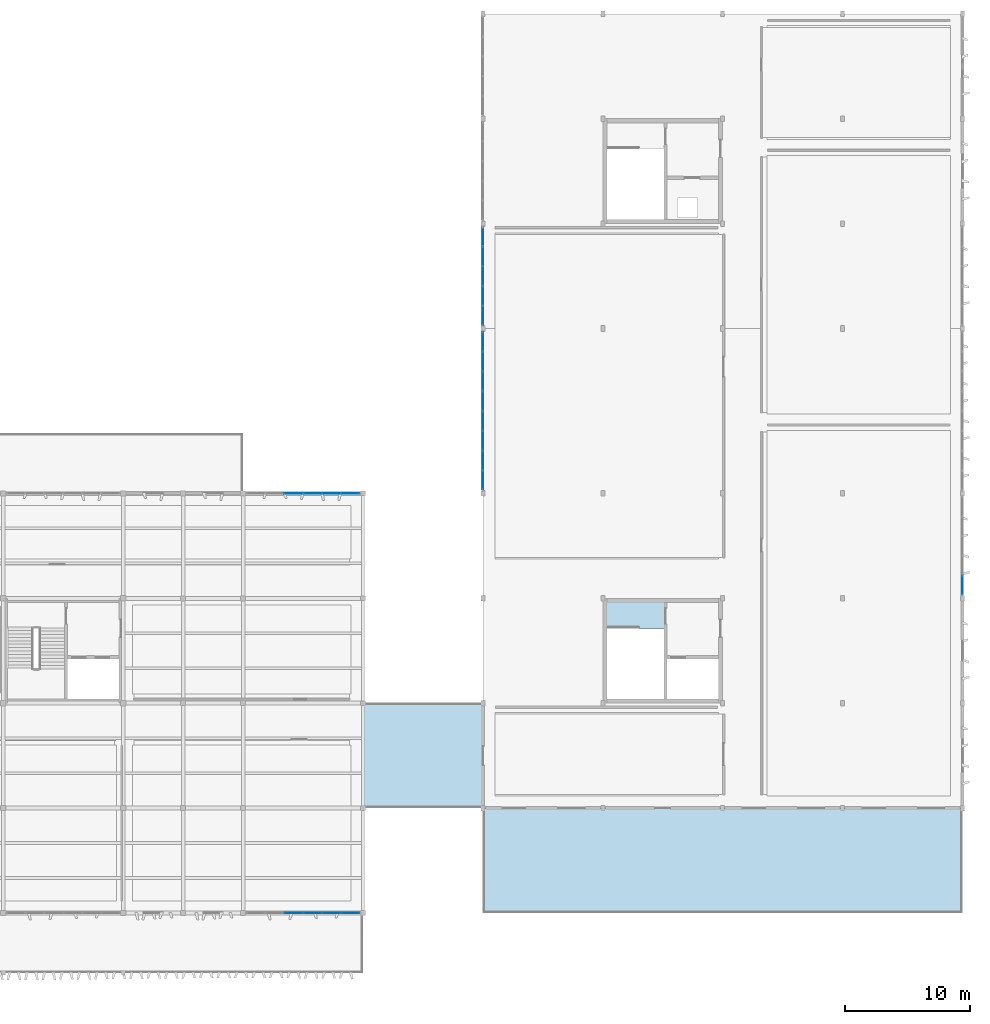
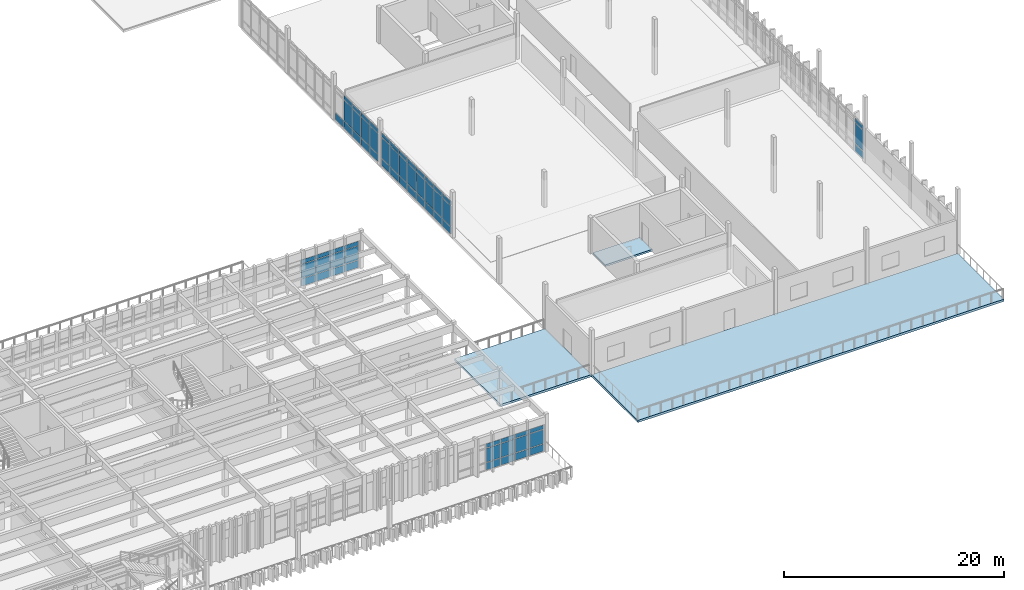
# One storey, part 34 of 61: 64 plates, 3 slabs, 5 elements without a shape of their own.
"""IFC4 building model written with IfcOpenShell, lengths in metres."""

from ifc_helpers import new_model, si_unit, direction, frame, origin, origin_2d, place, context, subcontext, project, spatial, polyline, rectangle, outline, extrude, material, layer, layer_set, type_object, element, aggregate, save


model = new_model("IFC4")

# Units and contexts
model_context = context("Model", 3, precision=1e-05, world=origin(), true_north=direction((0.0, 1.0)))
body_context = subcontext(model_context, "Body", "Model", "MODEL_VIEW")
ifc_project = project(units=[si_unit("LENGTHUNIT", "METRE"), si_unit("AREAUNIT", "SQUARE_METRE"), si_unit("VOLUMEUNIT", "CUBIC_METRE"), si_unit("PLANEANGLEUNIT", "RADIAN"), si_unit("MASSUNIT", "GRAM", prefix="KILO")], contexts=[model_context])

# Site, building, storey
site_placement = place(None, origin())
site = spatial("IfcSite", under=ifc_project, at=site_placement, CompositionType="ELEMENT")
building_placement = place(site_placement, origin())
building = spatial("IfcBuilding", under=site, at=building_placement, Name="Kolvemor Railside Polytechnic", CompositionType="ELEMENT")
storey_placement = place(building_placement, frame((0.0, 0.0, 10.199951171875)))
storey = spatial("IfcBuildingStorey", under=building, at=storey_placement, Name="L02", CompositionType="ELEMENT", Elevation=10.199951171875)

# Curtain wall, plates
ifc_material_1 = material(Name="Anodised marine aluminium and laminated low-E glass", Category="aluminium")
ifc_layer_1 = layer(ifc_material_1, 0.179931640625, Name="CW-UNIT-STD")
ifc_layer_set_1 = layer_set([ifc_layer_1], Name="Anodised marine aluminium and laminated low-E glass")
curtain_wall_type = type_object("IfcCurtainWallType", Name="CW-UNIT-STD", PredefinedType="USERDEFINED", material=ifc_layer_set_1)
curtain_wall_1_placement = place(storey_placement, origin())
curtain_wall_1 = element("IfcCurtainWall", 1, at=curtain_wall_1_placement, inside=storey, type_object=curtain_wall_type, Name="Curtain Wall L02-051", ObjectType="UNITISED CURTAIN WALL", PredefinedType="USERDEFINED")
ifc_material_2 = material(Name="Hurricane-laminated solar-control low-E glass", Category="glass")
ifc_layer_2 = layer(ifc_material_2, 0.0400390625, Name="CWP-GLZ-10")
ifc_layer_set_2 = layer_set([ifc_layer_2], Name="Hurricane-laminated solar-control low-E glass")
plate_type_1 = type_object("IfcPlateType", Name="CWP-GLZ-10", PredefinedType="CURTAIN_PANEL", material=ifc_layer_set_2)
plate_1_placement = place(storey_placement, frame((182.39990234375, 31.05078125, 0.074951171875), z_axis=(0.0, 0.0, 1.0), x_axis=(0.0, 1.0, 0.0)))
plate_1 = element("IfcPlate", 2, at=plate_1_placement, type_object=plate_type_1, Name="CW-STD panel 1.1", PredefinedType="CURTAIN_PANEL", context=body_context, shape_type="SweptSolid", body=[
    extrude(rectangle(XDim=1.471435546875, YDim=0.0400390625, at=origin_2d()), origin(), (0.0, 0.0, 1.0), 0.78759765625),
])
plate_2_placement = place(storey_placement, frame((182.39990234375, 31.05078125, 0.9375), z_axis=(0.0, 0.0, 1.0), x_axis=(0.0, 1.0, 0.0)))
plate_2 = element("IfcPlate", 3, at=plate_2_placement, type_object=plate_type_1, Name="CW-STD panel 1.2", PredefinedType="CURTAIN_PANEL", context=body_context, shape_type="SweptSolid", body=[
    extrude(rectangle(XDim=1.471435546875, YDim=0.0400390625, at=origin_2d()), origin(), (0.0, 0.0, 1.0), 2.27490234375),
])
plate_3_placement = place(storey_placement, frame((182.39990234375, 31.05078125, 3.28759765625), z_axis=(0.0, 0.0, 1.0), x_axis=(0.0, 1.0, 0.0)))
plate_3 = element("IfcPlate", 4, at=plate_3_placement, type_object=plate_type_1, Name="CW-STD panel 1.3", PredefinedType="CURTAIN_PANEL", context=body_context, shape_type="SweptSolid", body=[
    extrude(rectangle(XDim=1.471435546875, YDim=0.0400390625, at=origin_2d()), origin(), (0.0, 0.0, 1.0), 0.4375),
])
aggregate(curtain_wall_1, [plate_1, plate_2, plate_3])

curtain_wall_2_placement = place(storey_placement, origin())
curtain_wall_2 = element("IfcCurtainWall", 5, at=curtain_wall_2_placement, inside=storey, type_object=curtain_wall_type, Name="Curtain Wall L02-064", ObjectType="UNITISED CURTAIN WALL", PredefinedType="USERDEFINED")
ifc_material_3 = material(Name="Hurricane-laminated solar-control low-E glass", Category="glass")
ifc_layer_3 = layer(ifc_material_3, 0.0458984375, Name="CWP-GLZ-13")
ifc_layer_set_3 = layer_set([ifc_layer_3], Name="Hurricane-laminated solar-control low-E glass")
plate_type_2 = type_object("IfcPlateType", Name="CWP-GLZ-13", PredefinedType="CURTAIN_PANEL", material=ifc_layer_set_3)
plate_4_placement = place(storey_placement, frame((144.0, 50.546142578125, 0.074951171875), z_axis=(0.0, 0.0, 1.0), x_axis=(0.0, -1.0, 0.0)))
plate_4 = element("IfcPlate", 6, at=plate_4_placement, type_object=plate_type_2, Name="CW-STD panel 1.1", PredefinedType="CURTAIN_PANEL", context=body_context, shape_type="SweptSolid", body=[
    extrude(rectangle(XDim=1.4775390625, YDim=0.0458984375, at=origin_2d()), origin(), (0.0, 0.0, 1.0), 0.78759765625),
])
plate_5_placement = place(storey_placement, frame((144.0, 50.546142578125, 0.9375), z_axis=(0.0, 0.0, 1.0), x_axis=(0.0, -1.0, 0.0)))
plate_5 = element("IfcPlate", 7, at=plate_5_placement, type_object=plate_type_2, Name="CW-STD panel 1.2", PredefinedType="CURTAIN_PANEL", context=body_context, shape_type="SweptSolid", body=[
    extrude(rectangle(XDim=1.4775390625, YDim=0.0458984375, at=origin_2d()), origin(), (0.0, 0.0, 1.0), 2.27490234375),
])
plate_6_placement = place(storey_placement, frame((144.0, 50.546142578125, 3.28759765625), z_axis=(0.0, 0.0, 1.0), x_axis=(0.0, -1.0, 0.0)))
plate_6 = element("IfcPlate", 8, at=plate_6_placement, type_object=plate_type_2, Name="CW-STD panel 1.3", PredefinedType="CURTAIN_PANEL", context=body_context, shape_type="SweptSolid", body=[
    extrude(rectangle(XDim=1.4775390625, YDim=0.0458984375, at=origin_2d()), origin(), (0.0, 0.0, 1.0), 0.4375),
])
plate_7_placement = place(storey_placement, frame((144.0, 48.97509765625, 0.074951171875), z_axis=(0.0, 0.0, 1.0), x_axis=(0.0, -1.0, 0.0)))
plate_7 = element("IfcPlate", 9, at=plate_7_placement, type_object=plate_type_2, Name="CW-STD panel 2.1", PredefinedType="CURTAIN_PANEL", context=body_context, shape_type="SweptSolid", body=[
    extrude(rectangle(XDim=1.514892578125, YDim=0.0458984375, at=origin_2d()), origin(), (0.0, 0.0, 1.0), 0.78759765625),
])
plate_8_placement = place(storey_placement, frame((144.0, 48.97509765625, 0.9375), z_axis=(0.0, 0.0, 1.0), x_axis=(0.0, -1.0, 0.0)))
plate_8 = element("IfcPlate", 10, at=plate_8_placement, type_object=plate_type_2, Name="CW-STD panel 2.2", PredefinedType="CURTAIN_PANEL", context=body_context, shape_type="SweptSolid", body=[
    extrude(rectangle(XDim=1.514892578125, YDim=0.0458984375, at=origin_2d()), origin(), (0.0, 0.0, 1.0), 2.27490234375),
])
plate_9_placement = place(storey_placement, frame((144.0, 48.97509765625, 3.28759765625), z_axis=(0.0, 0.0, 1.0), x_axis=(0.0, -1.0, 0.0)))
plate_9 = element("IfcPlate", 11, at=plate_9_placement, type_object=plate_type_2, Name="CW-STD panel 2.3", PredefinedType="CURTAIN_PANEL", context=body_context, shape_type="SweptSolid", body=[
    extrude(rectangle(XDim=1.514892578125, YDim=0.0458984375, at=origin_2d()), origin(), (0.0, 0.0, 1.0), 0.4375),
])
plate_10_placement = place(storey_placement, frame((144.0, 47.385009765625, 0.074951171875), z_axis=(0.0, 0.0, 1.0), x_axis=(0.0, -1.0, 0.0)))
plate_10 = element("IfcPlate", 12, at=plate_10_placement, type_object=plate_type_2, Name="CW-STD panel 3.1", PredefinedType="CURTAIN_PANEL", context=body_context, shape_type="SweptSolid", body=[
    extrude(rectangle(XDim=1.514892578125, YDim=0.0458984375, at=origin_2d()), origin(), (0.0, 0.0, 1.0), 0.78759765625),
])
plate_11_placement = place(storey_placement, frame((144.0, 47.385009765625, 0.9375), z_axis=(0.0, 0.0, 1.0), x_axis=(0.0, -1.0, 0.0)))
plate_11 = element("IfcPlate", 13, at=plate_11_placement, type_object=plate_type_2, Name="CW-STD panel 3.2", PredefinedType="CURTAIN_PANEL", context=body_context, shape_type="SweptSolid", body=[
    extrude(rectangle(XDim=1.514892578125, YDim=0.0458984375, at=origin_2d()), origin(), (0.0, 0.0, 1.0), 2.27490234375),
])
plate_12_placement = place(storey_placement, frame((144.0, 47.385009765625, 3.28759765625), z_axis=(0.0, 0.0, 1.0), x_axis=(0.0, -1.0, 0.0)))
plate_12 = element("IfcPlate", 14, at=plate_12_placement, type_object=plate_type_2, Name="CW-STD panel 3.3", PredefinedType="CURTAIN_PANEL", context=body_context, shape_type="SweptSolid", body=[
    extrude(rectangle(XDim=1.514892578125, YDim=0.0458984375, at=origin_2d()), origin(), (0.0, 0.0, 1.0), 0.4375),
])
plate_13_placement = place(storey_placement, frame((144.0, 45.794921875, 0.074951171875), z_axis=(0.0, 0.0, 1.0), x_axis=(0.0, -1.0, 0.0)))
plate_13 = element("IfcPlate", 15, at=plate_13_placement, type_object=plate_type_2, Name="CW-STD panel 4.1", PredefinedType="CURTAIN_PANEL", context=body_context, shape_type="SweptSolid", body=[
    extrude(rectangle(XDim=1.514892578125, YDim=0.0458984375, at=origin_2d()), origin(), (0.0, 0.0, 1.0), 0.78759765625),
])
plate_14_placement = place(storey_placement, frame((144.0, 45.794921875, 0.9375), z_axis=(0.0, 0.0, 1.0), x_axis=(0.0, -1.0, 0.0)))
plate_14 = element("IfcPlate", 16, at=plate_14_placement, type_object=plate_type_2, Name="CW-STD panel 4.2", PredefinedType="CURTAIN_PANEL", context=body_context, shape_type="SweptSolid", body=[
    extrude(rectangle(XDim=1.514892578125, YDim=0.0458984375, at=origin_2d()), origin(), (0.0, 0.0, 1.0), 2.27490234375),
])
plate_15_placement = place(storey_placement, frame((144.0, 45.794921875, 3.28759765625), z_axis=(0.0, 0.0, 1.0), x_axis=(0.0, -1.0, 0.0)))
plate_15 = element("IfcPlate", 17, at=plate_15_placement, type_object=plate_type_2, Name="CW-STD panel 4.3", PredefinedType="CURTAIN_PANEL", context=body_context, shape_type="SweptSolid", body=[
    extrude(rectangle(XDim=1.514892578125, YDim=0.0458984375, at=origin_2d()), origin(), (0.0, 0.0, 1.0), 0.4375),
])
plate_16_placement = place(storey_placement, frame((144.0, 44.205078125, 0.074951171875), z_axis=(0.0, 0.0, 1.0), x_axis=(0.0, -1.0, 0.0)))
plate_16 = element("IfcPlate", 18, at=plate_16_placement, type_object=plate_type_2, Name="CW-STD panel 5.1", PredefinedType="CURTAIN_PANEL", context=body_context, shape_type="SweptSolid", body=[
    extrude(rectangle(XDim=1.514892578125, YDim=0.0458984375, at=origin_2d()), origin(), (0.0, 0.0, 1.0), 0.78759765625),
])
plate_17_placement = place(storey_placement, frame((144.0, 44.205078125, 0.9375), z_axis=(0.0, 0.0, 1.0), x_axis=(0.0, -1.0, 0.0)))
plate_17 = element("IfcPlate", 19, at=plate_17_placement, type_object=plate_type_2, Name="CW-STD panel 5.2", PredefinedType="CURTAIN_PANEL", context=body_context, shape_type="SweptSolid", body=[
    extrude(rectangle(XDim=1.514892578125, YDim=0.0458984375, at=origin_2d()), origin(), (0.0, 0.0, 1.0), 2.27490234375),
])
plate_18_placement = place(storey_placement, frame((144.0, 44.205078125, 3.28759765625), z_axis=(0.0, 0.0, 1.0), x_axis=(0.0, -1.0, 0.0)))
plate_18 = element("IfcPlate", 20, at=plate_18_placement, type_object=plate_type_2, Name="CW-STD panel 5.3", PredefinedType="CURTAIN_PANEL", context=body_context, shape_type="SweptSolid", body=[
    extrude(rectangle(XDim=1.514892578125, YDim=0.0458984375, at=origin_2d()), origin(), (0.0, 0.0, 1.0), 0.4375),
])
plate_19_placement = place(storey_placement, frame((144.0, 42.614990234375, 0.074951171875), z_axis=(0.0, 0.0, 1.0), x_axis=(0.0, -1.0, 0.0)))
plate_19 = element("IfcPlate", 21, at=plate_19_placement, type_object=plate_type_2, Name="CW-STD panel 6.1", PredefinedType="CURTAIN_PANEL", context=body_context, shape_type="SweptSolid", body=[
    extrude(rectangle(XDim=1.514892578125, YDim=0.0458984375, at=origin_2d()), origin(), (0.0, 0.0, 1.0), 0.78759765625),
])
plate_20_placement = place(storey_placement, frame((144.0, 42.614990234375, 0.9375), z_axis=(0.0, 0.0, 1.0), x_axis=(0.0, -1.0, 0.0)))
plate_20 = element("IfcPlate", 22, at=plate_20_placement, type_object=plate_type_2, Name="CW-STD panel 6.2", PredefinedType="CURTAIN_PANEL", context=body_context, shape_type="SweptSolid", body=[
    extrude(rectangle(XDim=1.514892578125, YDim=0.0458984375, at=origin_2d()), origin(), (0.0, 0.0, 1.0), 2.27490234375),
])
plate_21_placement = place(storey_placement, frame((144.0, 42.614990234375, 3.28759765625), z_axis=(0.0, 0.0, 1.0), x_axis=(0.0, -1.0, 0.0)))
plate_21 = element("IfcPlate", 23, at=plate_21_placement, type_object=plate_type_2, Name="CW-STD panel 6.3", PredefinedType="CURTAIN_PANEL", context=body_context, shape_type="SweptSolid", body=[
    extrude(rectangle(XDim=1.514892578125, YDim=0.0458984375, at=origin_2d()), origin(), (0.0, 0.0, 1.0), 0.4375),
])
plate_22_placement = place(storey_placement, frame((144.0, 41.02490234375, 0.074951171875), z_axis=(0.0, 0.0, 1.0), x_axis=(0.0, -1.0, 0.0)))
plate_22 = element("IfcPlate", 24, at=plate_22_placement, type_object=plate_type_2, Name="CW-STD panel 7.1", PredefinedType="CURTAIN_PANEL", context=body_context, shape_type="SweptSolid", body=[
    extrude(rectangle(XDim=1.514892578125, YDim=0.0458984375, at=origin_2d()), origin(), (0.0, 0.0, 1.0), 0.78759765625),
])
plate_23_placement = place(storey_placement, frame((144.0, 41.02490234375, 0.9375), z_axis=(0.0, 0.0, 1.0), x_axis=(0.0, -1.0, 0.0)))
plate_23 = element("IfcPlate", 25, at=plate_23_placement, type_object=plate_type_2, Name="CW-STD panel 7.2", PredefinedType="CURTAIN_PANEL", context=body_context, shape_type="SweptSolid", body=[
    extrude(rectangle(XDim=1.514892578125, YDim=0.0458984375, at=origin_2d()), origin(), (0.0, 0.0, 1.0), 2.27490234375),
])
plate_24_placement = place(storey_placement, frame((144.0, 41.02490234375, 3.28759765625), z_axis=(0.0, 0.0, 1.0), x_axis=(0.0, -1.0, 0.0)))
plate_24 = element("IfcPlate", 26, at=plate_24_placement, type_object=plate_type_2, Name="CW-STD panel 7.3", PredefinedType="CURTAIN_PANEL", context=body_context, shape_type="SweptSolid", body=[
    extrude(rectangle(XDim=1.514892578125, YDim=0.0458984375, at=origin_2d()), origin(), (0.0, 0.0, 1.0), 0.4375),
])
plate_25_placement = place(storey_placement, frame((144.0, 39.453857421875, 0.074951171875), z_axis=(0.0, 0.0, 1.0), x_axis=(0.0, -1.0, 0.0)))
plate_25 = element("IfcPlate", 27, at=plate_25_placement, type_object=plate_type_2, Name="CW-STD panel 8.1", PredefinedType="CURTAIN_PANEL", context=body_context, shape_type="SweptSolid", body=[
    extrude(rectangle(XDim=1.4775390625, YDim=0.0458984375, at=origin_2d()), origin(), (0.0, 0.0, 1.0), 0.78759765625),
])
plate_26_placement = place(storey_placement, frame((144.0, 39.453857421875, 0.9375), z_axis=(0.0, 0.0, 1.0), x_axis=(0.0, -1.0, 0.0)))
plate_26 = element("IfcPlate", 28, at=plate_26_placement, type_object=plate_type_2, Name="CW-STD panel 8.2", PredefinedType="CURTAIN_PANEL", context=body_context, shape_type="SweptSolid", body=[
    extrude(rectangle(XDim=1.4775390625, YDim=0.0458984375, at=origin_2d()), origin(), (0.0, 0.0, 1.0), 2.27490234375),
])
plate_27_placement = place(storey_placement, frame((144.0, 39.453857421875, 3.28759765625), z_axis=(0.0, 0.0, 1.0), x_axis=(0.0, -1.0, 0.0)))
plate_27 = element("IfcPlate", 29, at=plate_27_placement, type_object=plate_type_2, Name="CW-STD panel 8.3", PredefinedType="CURTAIN_PANEL", context=body_context, shape_type="SweptSolid", body=[
    extrude(rectangle(XDim=1.4775390625, YDim=0.0458984375, at=origin_2d()), origin(), (0.0, 0.0, 1.0), 0.4375),
])
aggregate(curtain_wall_2, [plate_4, plate_5, plate_6, plate_7, plate_8, plate_9, plate_10, plate_11, plate_12, plate_13, plate_14, plate_15, plate_16, plate_17, plate_18, plate_19, plate_20, plate_21, plate_22, plate_23, plate_24, plate_25, plate_26, plate_27])

curtain_wall_3_placement = place(storey_placement, origin())
curtain_wall_3 = element("IfcCurtainWall", 30, at=curtain_wall_3_placement, inside=storey, type_object=curtain_wall_type, Name="Curtain Wall L02-100", ObjectType="UNITISED CURTAIN WALL", PredefinedType="USERDEFINED")
plate_28_placement = place(storey_placement, frame((128.840087890625, 4.800048828125, 0.074951171875), z_axis=(0.0, 0.0, 1.0), x_axis=(1.0, 0.0, 0.0)))
plate_28 = element("IfcPlate", 31, at=plate_28_placement, type_object=plate_type_2, Name="CW-STD panel 3.1", PredefinedType="CURTAIN_PANEL", context=body_context, shape_type="SweptSolid", body=[
    extrude(rectangle(XDim=1.445068359375, YDim=0.0458984375, at=origin_2d()), origin(), (0.0, 0.0, 1.0), 0.78759765625),
])
plate_29_placement = place(storey_placement, frame((128.840087890625, 4.800048828125, 0.9375), z_axis=(0.0, 0.0, 1.0), x_axis=(1.0, 0.0, 0.0)))
plate_29 = element("IfcPlate", 32, at=plate_29_placement, type_object=plate_type_2, Name="CW-STD panel 3.2", PredefinedType="CURTAIN_PANEL", context=body_context, shape_type="SweptSolid", body=[
    extrude(rectangle(XDim=1.445068359375, YDim=0.0458984375, at=origin_2d()), origin(), (0.0, 0.0, 1.0), 1.52490234375),
])
plate_30_placement = place(storey_placement, frame((128.840087890625, 4.800048828125, 2.53759765625), z_axis=(0.0, 0.0, 1.0), x_axis=(1.0, 0.0, 0.0)))
plate_30 = element("IfcPlate", 33, at=plate_30_placement, type_object=plate_type_2, Name="CW-STD panel 3.3", PredefinedType="CURTAIN_PANEL", context=body_context, shape_type="SweptSolid", body=[
    extrude(rectangle(XDim=1.445068359375, YDim=0.0458984375, at=origin_2d()), origin(), (0.0, 0.0, 1.0), 0.4375),
])
plate_31_placement = place(storey_placement, frame((130.360107421875, 4.800048828125, 0.074951171875), z_axis=(0.0, 0.0, 1.0), x_axis=(1.0, 0.0, 0.0)))
plate_31 = element("IfcPlate", 34, at=plate_31_placement, type_object=plate_type_2, Name="CW-STD panel 4.1", PredefinedType="CURTAIN_PANEL", context=body_context, shape_type="SweptSolid", body=[
    extrude(rectangle(XDim=1.445068359375, YDim=0.0458984375, at=origin_2d()), origin(), (0.0, 0.0, 1.0), 0.78759765625),
])
plate_32_placement = place(storey_placement, frame((130.360107421875, 4.800048828125, 0.9375), z_axis=(0.0, 0.0, 1.0), x_axis=(1.0, 0.0, 0.0)))
plate_32 = element("IfcPlate", 35, at=plate_32_placement, type_object=plate_type_2, Name="CW-STD panel 4.2", PredefinedType="CURTAIN_PANEL", context=body_context, shape_type="SweptSolid", body=[
    extrude(rectangle(XDim=1.445068359375, YDim=0.0458984375, at=origin_2d()), origin(), (0.0, 0.0, 1.0), 1.52490234375),
])
plate_33_placement = place(storey_placement, frame((130.360107421875, 4.800048828125, 2.53759765625), z_axis=(0.0, 0.0, 1.0), x_axis=(1.0, 0.0, 0.0)))
plate_33 = element("IfcPlate", 36, at=plate_33_placement, type_object=plate_type_2, Name="CW-STD panel 4.3", PredefinedType="CURTAIN_PANEL", context=body_context, shape_type="SweptSolid", body=[
    extrude(rectangle(XDim=1.445068359375, YDim=0.0458984375, at=origin_2d()), origin(), (0.0, 0.0, 1.0), 0.4375),
])
plate_34_placement = place(storey_placement, frame((131.8798828125, 4.800048828125, 0.074951171875), z_axis=(0.0, 0.0, 1.0), x_axis=(1.0, 0.0, 0.0)))
plate_34 = element("IfcPlate", 37, at=plate_34_placement, type_object=plate_type_2, Name="CW-STD panel 5.1", PredefinedType="CURTAIN_PANEL", context=body_context, shape_type="SweptSolid", body=[
    extrude(rectangle(XDim=1.445068359375, YDim=0.0458984375, at=origin_2d()), origin(), (0.0, 0.0, 1.0), 0.78759765625),
])
plate_35_placement = place(storey_placement, frame((131.8798828125, 4.800048828125, 0.9375), z_axis=(0.0, 0.0, 1.0), x_axis=(1.0, 0.0, 0.0)))
plate_35 = element("IfcPlate", 38, at=plate_35_placement, type_object=plate_type_2, Name="CW-STD panel 5.2", PredefinedType="CURTAIN_PANEL", context=body_context, shape_type="SweptSolid", body=[
    extrude(rectangle(XDim=1.445068359375, YDim=0.0458984375, at=origin_2d()), origin(), (0.0, 0.0, 1.0), 1.52490234375),
])
plate_36_placement = place(storey_placement, frame((131.8798828125, 4.800048828125, 2.53759765625), z_axis=(0.0, 0.0, 1.0), x_axis=(1.0, 0.0, 0.0)))
plate_36 = element("IfcPlate", 39, at=plate_36_placement, type_object=plate_type_2, Name="CW-STD panel 5.3", PredefinedType="CURTAIN_PANEL", context=body_context, shape_type="SweptSolid", body=[
    extrude(rectangle(XDim=1.445068359375, YDim=0.0458984375, at=origin_2d()), origin(), (0.0, 0.0, 1.0), 0.4375),
])
plate_37_placement = place(storey_placement, frame((133.38134765625, 4.800048828125, 0.074951171875), z_axis=(0.0, 0.0, 1.0), x_axis=(1.0, 0.0, 0.0)))
plate_37 = element("IfcPlate", 40, at=plate_37_placement, type_object=plate_type_2, Name="CW-STD panel 6.1", PredefinedType="CURTAIN_PANEL", context=body_context, shape_type="SweptSolid", body=[
    extrude(rectangle(XDim=1.407470703125, YDim=0.0458984375, at=origin_2d()), origin(), (0.0, 0.0, 1.0), 0.78759765625),
])
plate_38_placement = place(storey_placement, frame((133.38134765625, 4.800048828125, 0.9375), z_axis=(0.0, 0.0, 1.0), x_axis=(1.0, 0.0, 0.0)))
plate_38 = element("IfcPlate", 41, at=plate_38_placement, type_object=plate_type_2, Name="CW-STD panel 6.2", PredefinedType="CURTAIN_PANEL", context=body_context, shape_type="SweptSolid", body=[
    extrude(rectangle(XDim=1.407470703125, YDim=0.0458984375, at=origin_2d()), origin(), (0.0, 0.0, 1.0), 1.52490234375),
])
plate_39_placement = place(storey_placement, frame((133.38134765625, 4.800048828125, 2.53759765625), z_axis=(0.0, 0.0, 1.0), x_axis=(1.0, 0.0, 0.0)))
plate_39 = element("IfcPlate", 42, at=plate_39_placement, type_object=plate_type_2, Name="CW-STD panel 6.3", PredefinedType="CURTAIN_PANEL", context=body_context, shape_type="SweptSolid", body=[
    extrude(rectangle(XDim=1.407470703125, YDim=0.0458984375, at=origin_2d()), origin(), (0.0, 0.0, 1.0), 0.4375),
])
aggregate(curtain_wall_3, [plate_28, plate_29, plate_30, plate_31, plate_32, plate_33, plate_34, plate_35, plate_36, plate_37, plate_38, plate_39])

curtain_wall_4_placement = place(storey_placement, origin())
curtain_wall_4 = element("IfcCurtainWall", 43, at=curtain_wall_4_placement, inside=storey, type_object=curtain_wall_type, Name="Curtain Wall L02-074", ObjectType="UNITISED CURTAIN WALL", PredefinedType="USERDEFINED")
ifc_material_4 = material(Name="Hurricane-laminated solar-control low-E glass", Category="glass")
ifc_layer_4 = layer(ifc_material_4, 0.048095703125, Name="CWP-GLZ-14")
ifc_layer_set_4 = layer_set([ifc_layer_4], Name="Hurricane-laminated solar-control low-E glass")
plate_type_3 = type_object("IfcPlateType", Name="CWP-GLZ-14", PredefinedType="CURTAIN_PANEL", material=ifc_layer_set_4)
plate_40_placement = place(storey_placement, frame((144.0, 58.94921875, 0.074951171875), z_axis=(0.0, 0.0, 1.0), x_axis=(0.0, -1.0, 0.0)))
plate_40 = element("IfcPlate", 44, at=plate_40_placement, type_object=plate_type_3, Name="CW-STD panel 1.1", PredefinedType="CURTAIN_PANEL", context=body_context, shape_type="SweptSolid", body=[
    extrude(rectangle(XDim=1.471435546875, YDim=0.048095703125, at=origin_2d()), origin(), (0.0, 0.0, 1.0), 0.78759765625),
])
plate_41_placement = place(storey_placement, frame((144.0, 57.384033203125, 0.074951171875), z_axis=(0.0, 0.0, 1.0), x_axis=(0.0, -1.0, 0.0)))
plate_41 = element("IfcPlate", 45, at=plate_41_placement, type_object=plate_type_3, Name="CW-STD panel 2.1", PredefinedType="CURTAIN_PANEL", context=body_context, shape_type="SweptSolid", body=[
    extrude(rectangle(XDim=1.509033203125, YDim=0.048095703125, at=origin_2d()), origin(), (0.0, 0.0, 1.0), 0.78759765625),
])
plate_42_placement = place(storey_placement, frame((144.0, 57.384033203125, 0.9375), z_axis=(0.0, 0.0, 1.0), x_axis=(0.0, -1.0, 0.0)))
plate_42 = element("IfcPlate", 46, at=plate_42_placement, type_object=plate_type_3, Name="CW-STD panel 2.2", PredefinedType="CURTAIN_PANEL", context=body_context, shape_type="SweptSolid", body=[
    extrude(rectangle(XDim=1.509033203125, YDim=0.048095703125, at=origin_2d()), origin(), (0.0, 0.0, 1.0), 2.27490234375),
])
plate_43_placement = place(storey_placement, frame((144.0, 57.384033203125, 3.28759765625), z_axis=(0.0, 0.0, 1.0), x_axis=(0.0, -1.0, 0.0)))
plate_43 = element("IfcPlate", 47, at=plate_43_placement, type_object=plate_type_3, Name="CW-STD panel 2.3", PredefinedType="CURTAIN_PANEL", context=body_context, shape_type="SweptSolid", body=[
    extrude(rectangle(XDim=1.509033203125, YDim=0.048095703125, at=origin_2d()), origin(), (0.0, 0.0, 1.0), 0.4375),
])
plate_44_placement = place(storey_placement, frame((144.0, 55.800048828125, 0.074951171875), z_axis=(0.0, 0.0, 1.0), x_axis=(0.0, -1.0, 0.0)))
plate_44 = element("IfcPlate", 48, at=plate_44_placement, type_object=plate_type_3, Name="CW-STD panel 3.1", PredefinedType="CURTAIN_PANEL", context=body_context, shape_type="SweptSolid", body=[
    extrude(rectangle(XDim=1.509033203125, YDim=0.048095703125, at=origin_2d()), origin(), (0.0, 0.0, 1.0), 0.78759765625),
])
plate_45_placement = place(storey_placement, frame((144.0, 55.800048828125, 0.9375), z_axis=(0.0, 0.0, 1.0), x_axis=(0.0, -1.0, 0.0)))
plate_45 = element("IfcPlate", 49, at=plate_45_placement, type_object=plate_type_3, Name="CW-STD panel 3.2", PredefinedType="CURTAIN_PANEL", context=body_context, shape_type="SweptSolid", body=[
    extrude(rectangle(XDim=1.509033203125, YDim=0.048095703125, at=origin_2d()), origin(), (0.0, 0.0, 1.0), 2.27490234375),
])
plate_46_placement = place(storey_placement, frame((144.0, 55.800048828125, 3.28759765625), z_axis=(0.0, 0.0, 1.0), x_axis=(0.0, -1.0, 0.0)))
plate_46 = element("IfcPlate", 50, at=plate_46_placement, type_object=plate_type_3, Name="CW-STD panel 3.3", PredefinedType="CURTAIN_PANEL", context=body_context, shape_type="SweptSolid", body=[
    extrude(rectangle(XDim=1.509033203125, YDim=0.048095703125, at=origin_2d()), origin(), (0.0, 0.0, 1.0), 0.4375),
])
plate_47_placement = place(storey_placement, frame((144.0, 54.216064453125, 0.074951171875), z_axis=(0.0, 0.0, 1.0), x_axis=(0.0, -1.0, 0.0)))
plate_47 = element("IfcPlate", 51, at=plate_47_placement, type_object=plate_type_3, Name="CW-STD panel 4.1", PredefinedType="CURTAIN_PANEL", context=body_context, shape_type="SweptSolid", body=[
    extrude(rectangle(XDim=1.509033203125, YDim=0.048095703125, at=origin_2d()), origin(), (0.0, 0.0, 1.0), 0.78759765625),
])
plate_48_placement = place(storey_placement, frame((144.0, 54.216064453125, 0.9375), z_axis=(0.0, 0.0, 1.0), x_axis=(0.0, -1.0, 0.0)))
plate_48 = element("IfcPlate", 52, at=plate_48_placement, type_object=plate_type_3, Name="CW-STD panel 4.2", PredefinedType="CURTAIN_PANEL", context=body_context, shape_type="SweptSolid", body=[
    extrude(rectangle(XDim=1.509033203125, YDim=0.048095703125, at=origin_2d()), origin(), (0.0, 0.0, 1.0), 2.27490234375),
])
plate_49_placement = place(storey_placement, frame((144.0, 54.216064453125, 3.28759765625), z_axis=(0.0, 0.0, 1.0), x_axis=(0.0, -1.0, 0.0)))
plate_49 = element("IfcPlate", 53, at=plate_49_placement, type_object=plate_type_3, Name="CW-STD panel 4.3", PredefinedType="CURTAIN_PANEL", context=body_context, shape_type="SweptSolid", body=[
    extrude(rectangle(XDim=1.509033203125, YDim=0.048095703125, at=origin_2d()), origin(), (0.0, 0.0, 1.0), 0.4375),
])
plate_50_placement = place(storey_placement, frame((144.0, 52.650634765625, 0.074951171875), z_axis=(0.0, 0.0, 1.0), x_axis=(0.0, -1.0, 0.0)))
plate_50 = element("IfcPlate", 54, at=plate_50_placement, type_object=plate_type_3, Name="CW-STD panel 5.1", PredefinedType="CURTAIN_PANEL", context=body_context, shape_type="SweptSolid", body=[
    extrude(rectangle(XDim=1.471435546875, YDim=0.048095703125, at=origin_2d()), origin(), (0.0, 0.0, 1.0), 0.78759765625),
])
plate_51_placement = place(storey_placement, frame((144.0, 52.650634765625, 0.9375), z_axis=(0.0, 0.0, 1.0), x_axis=(0.0, -1.0, 0.0)))
plate_51 = element("IfcPlate", 55, at=plate_51_placement, type_object=plate_type_3, Name="CW-STD panel 5.2", PredefinedType="CURTAIN_PANEL", context=body_context, shape_type="SweptSolid", body=[
    extrude(rectangle(XDim=1.471435546875, YDim=0.048095703125, at=origin_2d()), origin(), (0.0, 0.0, 1.0), 2.27490234375),
])
plate_52_placement = place(storey_placement, frame((144.0, 52.650634765625, 3.28759765625), z_axis=(0.0, 0.0, 1.0), x_axis=(0.0, -1.0, 0.0)))
plate_52 = element("IfcPlate", 56, at=plate_52_placement, type_object=plate_type_3, Name="CW-STD panel 5.3", PredefinedType="CURTAIN_PANEL", context=body_context, shape_type="SweptSolid", body=[
    extrude(rectangle(XDim=1.471435546875, YDim=0.048095703125, at=origin_2d()), origin(), (0.0, 0.0, 1.0), 0.4375),
])
aggregate(curtain_wall_4, [plate_40, plate_41, plate_42, plate_43, plate_44, plate_45, plate_46, plate_47, plate_48, plate_49, plate_50, plate_51, plate_52])

curtain_wall_5_placement = place(storey_placement, origin())
curtain_wall_5 = element("IfcCurtainWall", 57, at=curtain_wall_5_placement, inside=storey, type_object=curtain_wall_type, Name="Curtain Wall L02-125", ObjectType="UNITISED CURTAIN WALL", PredefinedType="USERDEFINED")
plate_53_placement = place(storey_placement, frame((133.3837890625, 38.39990234375, 0.06494140625), z_axis=(0.0, 0.0, 1.0), x_axis=(-1.0, 0.0, 0.0)))
plate_53 = element("IfcPlate", 58, at=plate_53_placement, type_object=plate_type_3, Name="CW-STD panel 1.1", PredefinedType="CURTAIN_PANEL", context=body_context, shape_type="SweptSolid", body=[
    extrude(rectangle(XDim=1.422607421875, YDim=0.048095703125, at=origin_2d()), origin(), (0.0, 0.0, 1.0), 0.802490234375),
])
plate_54_placement = place(storey_placement, frame((133.3837890625, 38.39990234375, 0.9326171875), z_axis=(0.0, 0.0, 1.0), x_axis=(-1.0, 0.0, 0.0)))
plate_54 = element("IfcPlate", 59, at=plate_54_placement, type_object=plate_type_3, Name="CW-STD panel 1.2", PredefinedType="CURTAIN_PANEL", context=body_context, shape_type="SweptSolid", body=[
    extrude(rectangle(XDim=1.422607421875, YDim=0.048095703125, at=origin_2d()), origin(), (0.0, 0.0, 1.0), 1.534912109375),
])
plate_55_placement = place(storey_placement, frame((133.3837890625, 38.39990234375, 2.53271484375), z_axis=(0.0, 0.0, 1.0), x_axis=(-1.0, 0.0, 0.0)))
plate_55 = element("IfcPlate", 60, at=plate_55_placement, type_object=plate_type_3, Name="CW-STD panel 1.3", PredefinedType="CURTAIN_PANEL", context=body_context, shape_type="SweptSolid", body=[
    extrude(rectangle(XDim=1.422607421875, YDim=0.048095703125, at=origin_2d()), origin(), (0.0, 0.0, 1.0), 0.452392578125),
])
plate_56_placement = place(storey_placement, frame((131.8798828125, 38.39990234375, 0.06494140625), z_axis=(0.0, 0.0, 1.0), x_axis=(-1.0, 0.0, 0.0)))
plate_56 = element("IfcPlate", 61, at=plate_56_placement, type_object=plate_type_3, Name="CW-STD panel 2.1", PredefinedType="CURTAIN_PANEL", context=body_context, shape_type="SweptSolid", body=[
    extrude(rectangle(XDim=1.455078125, YDim=0.048095703125, at=origin_2d()), origin(), (0.0, 0.0, 1.0), 0.802490234375),
])
plate_57_placement = place(storey_placement, frame((131.8798828125, 38.39990234375, 0.9326171875), z_axis=(0.0, 0.0, 1.0), x_axis=(-1.0, 0.0, 0.0)))
plate_57 = element("IfcPlate", 62, at=plate_57_placement, type_object=plate_type_3, Name="CW-STD panel 2.2", PredefinedType="CURTAIN_PANEL", context=body_context, shape_type="SweptSolid", body=[
    extrude(rectangle(XDim=1.455078125, YDim=0.048095703125, at=origin_2d()), origin(), (0.0, 0.0, 1.0), 1.534912109375),
])
plate_58_placement = place(storey_placement, frame((131.8798828125, 38.39990234375, 2.53271484375), z_axis=(0.0, 0.0, 1.0), x_axis=(-1.0, 0.0, 0.0)))
plate_58 = element("IfcPlate", 63, at=plate_58_placement, type_object=plate_type_3, Name="CW-STD panel 2.3", PredefinedType="CURTAIN_PANEL", context=body_context, shape_type="SweptSolid", body=[
    extrude(rectangle(XDim=1.455078125, YDim=0.048095703125, at=origin_2d()), origin(), (0.0, 0.0, 1.0), 0.452392578125),
])
plate_59_placement = place(storey_placement, frame((130.360107421875, 38.39990234375, 0.06494140625), z_axis=(0.0, 0.0, 1.0), x_axis=(-1.0, 0.0, 0.0)))
plate_59 = element("IfcPlate", 64, at=plate_59_placement, type_object=plate_type_3, Name="CW-STD panel 3.1", PredefinedType="CURTAIN_PANEL", context=body_context, shape_type="SweptSolid", body=[
    extrude(rectangle(XDim=1.455078125, YDim=0.048095703125, at=origin_2d()), origin(), (0.0, 0.0, 1.0), 0.802490234375),
])
plate_60_placement = place(storey_placement, frame((130.360107421875, 38.39990234375, 0.9326171875), z_axis=(0.0, 0.0, 1.0), x_axis=(-1.0, 0.0, 0.0)))
plate_60 = element("IfcPlate", 65, at=plate_60_placement, type_object=plate_type_3, Name="CW-STD panel 3.2", PredefinedType="CURTAIN_PANEL", context=body_context, shape_type="SweptSolid", body=[
    extrude(rectangle(XDim=1.455078125, YDim=0.048095703125, at=origin_2d()), origin(), (0.0, 0.0, 1.0), 1.534912109375),
])
plate_61_placement = place(storey_placement, frame((130.360107421875, 38.39990234375, 2.53271484375), z_axis=(0.0, 0.0, 1.0), x_axis=(-1.0, 0.0, 0.0)))
plate_61 = element("IfcPlate", 66, at=plate_61_placement, type_object=plate_type_3, Name="CW-STD panel 3.3", PredefinedType="CURTAIN_PANEL", context=body_context, shape_type="SweptSolid", body=[
    extrude(rectangle(XDim=1.455078125, YDim=0.048095703125, at=origin_2d()), origin(), (0.0, 0.0, 1.0), 0.452392578125),
])
plate_62_placement = place(storey_placement, frame((128.840087890625, 38.39990234375, 0.06494140625), z_axis=(0.0, 0.0, 1.0), x_axis=(-1.0, 0.0, 0.0)))
plate_62 = element("IfcPlate", 67, at=plate_62_placement, type_object=plate_type_3, Name="CW-STD panel 4.1", PredefinedType="CURTAIN_PANEL", context=body_context, shape_type="SweptSolid", body=[
    extrude(rectangle(XDim=1.455078125, YDim=0.048095703125, at=origin_2d()), origin(), (0.0, 0.0, 1.0), 0.802490234375),
])
plate_63_placement = place(storey_placement, frame((128.840087890625, 38.39990234375, 0.9326171875), z_axis=(0.0, 0.0, 1.0), x_axis=(-1.0, 0.0, 0.0)))
plate_63 = element("IfcPlate", 68, at=plate_63_placement, type_object=plate_type_3, Name="CW-STD panel 4.2", PredefinedType="CURTAIN_PANEL", context=body_context, shape_type="SweptSolid", body=[
    extrude(rectangle(XDim=1.455078125, YDim=0.048095703125, at=origin_2d()), origin(), (0.0, 0.0, 1.0), 1.534912109375),
])
plate_64_placement = place(storey_placement, frame((128.840087890625, 38.39990234375, 2.53271484375), z_axis=(0.0, 0.0, 1.0), x_axis=(-1.0, 0.0, 0.0)))
plate_64 = element("IfcPlate", 69, at=plate_64_placement, type_object=plate_type_3, Name="CW-STD panel 4.3", PredefinedType="CURTAIN_PANEL", context=body_context, shape_type="SweptSolid", body=[
    extrude(rectangle(XDim=1.455078125, YDim=0.048095703125, at=origin_2d()), origin(), (0.0, 0.0, 1.0), 0.452392578125),
])
aggregate(curtain_wall_5, [plate_53, plate_54, plate_55, plate_56, plate_57, plate_58, plate_59, plate_60, plate_61, plate_62, plate_63, plate_64])

# Slabs
ifc_material_5 = material(Name="Concrete C40/50", Category="concrete")
ifc_layer_5 = layer(ifc_material_5, 0.199951171875, Name="SLB-LND-200")
ifc_layer_set_5 = layer_set([ifc_layer_5], Name="Concrete C40/50")
slab_type_1 = type_object("IfcSlabType", Name="SLB-LND-200", PredefinedType="LANDING", material=ifc_layer_set_5)
slab_1_placement = place(storey_placement, frame((0.0, 0.0, -0.199951171875)))
element("IfcSlab", 70, at=slab_1_placement, inside=storey, type_object=slab_type_1, Name="ST-6 Floor Landing L02", PredefinedType="LANDING", context=body_context, shape_type="SweptSolid", body=[
    extrude(outline(polyline([(153.760009765625, 27.60009765625), (158.68994140625, 27.60009765625), (158.68994140625, 29.840087890625), (153.760009765625, 29.840087890625), (153.760009765625, 27.60009765625)])), origin(), (0.0, 0.0, 1.0), 0.199951171875),
])
ifc_material_6 = material(Name="Concrete C40/50", Category="concrete")
ifc_layer_6 = layer(ifc_material_6, 0.25, Name="SLB-TER-250")
ifc_layer_set_6 = layer_set([ifc_layer_6], Name="Concrete C40/50")
slab_type_2 = type_object("IfcSlabType", Name="SLB-TER-250", PredefinedType="FLOOR", material=ifc_layer_set_6)
slab_2_placement = place(storey_placement, frame((0.0, 0.0, -0.25)))
element("IfcSlab", 71, at=slab_2_placement, inside=storey, type_object=slab_type_2, Name="Courtyard Dining Terrace L02 L02-109", PredefinedType="FLOOR", context=body_context, shape_type="SweptSolid", body=[
    extrude(outline(polyline([(134.47509765625, 13.199951171875), (144.0, 13.199951171875), (144.0, 21.60009765625), (134.47509765625, 21.60009765625), (134.47509765625, 13.199951171875)])), origin(), (0.0, 0.0, 1.0), 0.25),
])
slab_3_placement = place(storey_placement, frame((0.0, 0.0, -0.25)))
element("IfcSlab", 72, at=slab_3_placement, inside=storey, type_object=slab_type_2, Name="Corner Study Terrace V4-S L02-110", PredefinedType="FLOOR", context=body_context, shape_type="SweptSolid", body=[
    extrude(outline(polyline([(144.0, 4.800048828125), (182.39990234375, 4.800048828125), (182.39990234375, 13.199951171875), (144.0, 13.199951171875), (144.0, 4.800048828125)])), origin(), (0.0, 0.0, 1.0), 0.25),
])

save(model, "model.ifc")
